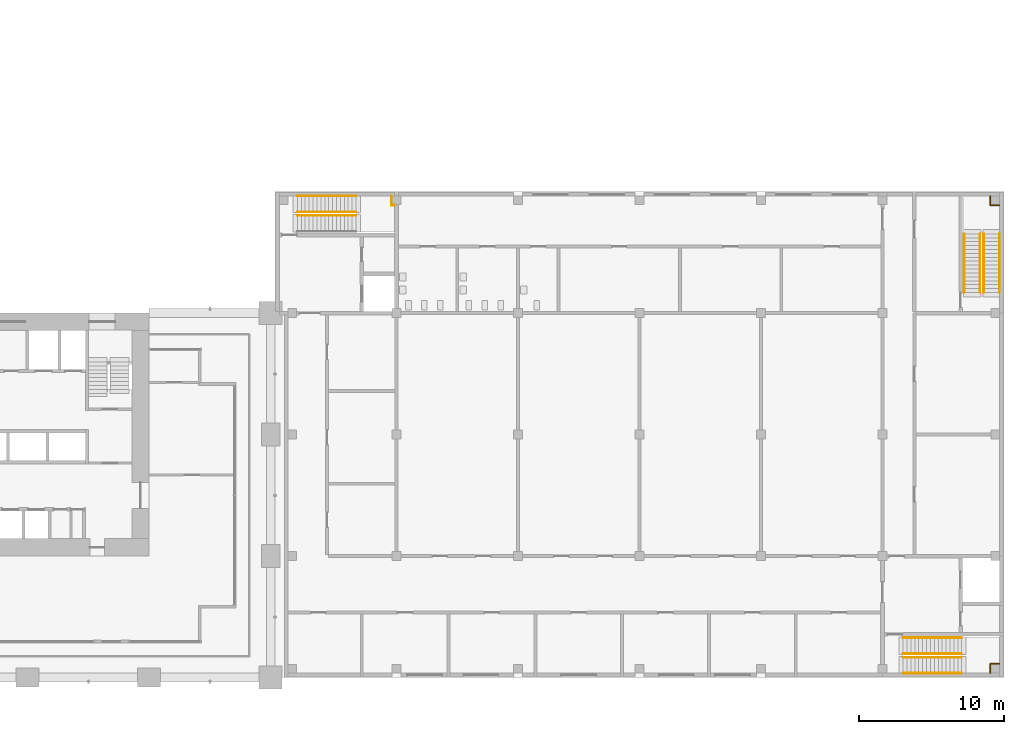
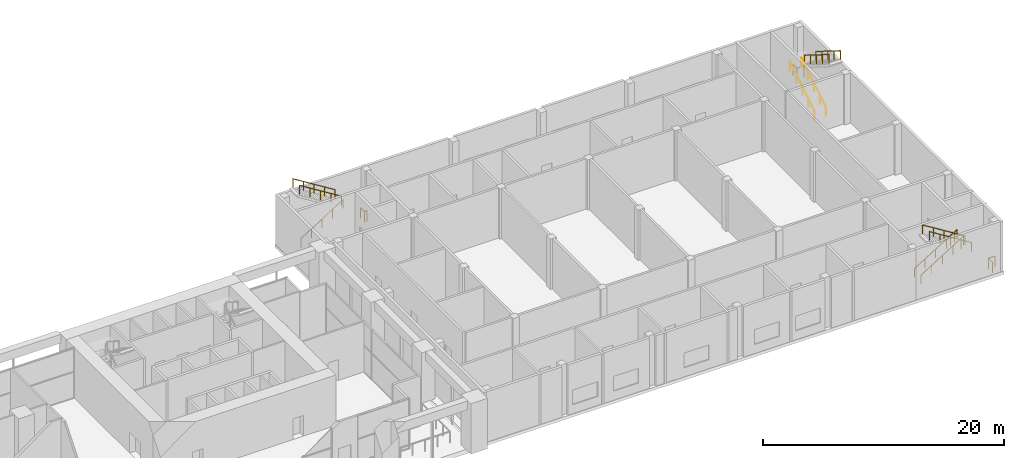
# One storey, part 32 of 33: 14 railings.
"""IFC4 building model written with IfcOpenShell, lengths in metres."""

from ifc_helpers import new_model, si_unit, direction, frame, origin, origin_2d, place, context, subcontext, project, spatial, circle, extrude, material, type_object, element, save


model = new_model("IFC4")

# Units and contexts
model_context = context("Model", 3, precision=1e-05, world=origin(), true_north=direction((0.0, 1.0)))
body_context = subcontext(model_context, "Body", "Model", "MODEL_VIEW")
ifc_project = project(units=[si_unit("LENGTHUNIT", "METRE"), si_unit("AREAUNIT", "SQUARE_METRE"), si_unit("VOLUMEUNIT", "CUBIC_METRE"), si_unit("PLANEANGLEUNIT", "RADIAN"), si_unit("MASSUNIT", "GRAM", prefix="KILO")], contexts=[model_context])

# Site, building, storey
site_placement = place(None, origin())
site = spatial("IfcSite", under=ifc_project, at=site_placement, CompositionType="ELEMENT")
building_placement = place(site_placement, origin())
building = spatial("IfcBuilding", under=site, at=building_placement, Name="Vermilion Gate Residences", CompositionType="ELEMENT")
storey_placement = place(building_placement, frame((0.0, 0.0, 14.39990234375)))
storey = spatial("IfcBuildingStorey", under=building, at=storey_placement, Name="L02", CompositionType="ELEMENT", Elevation=14.39990234375)

# Railings
ifc_material_1 = material(Name="Steel", Category="steel")
railing_type_1 = type_object("IfcRailingType", Name="STEEL GUARD 1100 (MARKET HALL)", PredefinedType="GUARDRAIL", material=ifc_material_1)
railing_1_placement = place(storey_placement, frame((75.77490234375, 32.64990234375, 0.0)))
element("IfcRailing", 1, at=railing_1_placement, inside=storey, type_object=railing_type_1, Name="Stair well end guard A L02", PredefinedType="GUARDRAIL", context=body_context, shape_type="SweptSolid", body=[
    extrude(circle(Radius=0.02490234375, at=origin_2d()), frame((0.0, 0.0, 1.0751953125), z_axis=(-1.0, 0.0, 0.0), x_axis=(0.0, -1.0, 0.0)), (0.0, 0.0, 1.0), 0.224853515625),
    extrude(circle(Radius=0.02490234375, at=origin_2d()), frame((-0.224853515625, 0.0, 1.0751953125), z_axis=(0.0, 1.0, 0.0), x_axis=(-1.0, 0.0, 0.0)), (0.0, 0.0, 1.0), 0.64990234375),
    extrude(circle(Radius=0.02001953125, at=origin_2d()), origin(), (0.0, 0.0, 1.0), 1.050048828125),
    extrude(circle(Radius=0.02001953125, at=origin_2d()), frame((-0.224853515625, 0.0, 0.0)), (0.0, 0.0, 1.0), 1.050048828125),
    extrude(circle(Radius=0.02001953125, at=origin_2d()), frame((-0.224853515625, 0.64990234375, 0.0)), (0.0, 0.0, 1.0), 1.050048828125),
])
railing_2_placement = place(storey_placement, frame((116.949951171875, 0.300048828125, 0.0)))
element("IfcRailing", 2, at=railing_2_placement, inside=storey, type_object=railing_type_1, Name="Stair well end guard B L02", PredefinedType="GUARDRAIL", context=body_context, shape_type="SweptSolid", body=[
    extrude(circle(Radius=0.02490234375, at=origin_2d()), frame((0.0, 0.0, 1.0751953125), z_axis=(0.0, 1.0, 0.0), x_axis=(-1.0, 0.0, 0.0)), (0.0, 0.0, 1.0), 0.64990234375),
    extrude(circle(Radius=0.02490234375, at=origin_2d()), frame((0.0, 0.64990234375, 1.0751953125), z_axis=(1.0, 0.0, 0.0), x_axis=(0.0, 1.0, 0.0)), (0.0, 0.0, 1.0), 0.64990234375),
    extrude(circle(Radius=0.02001953125, at=origin_2d()), origin(), (0.0, 0.0, 1.0), 1.050048828125),
    extrude(circle(Radius=0.02001953125, at=origin_2d()), frame((0.0, 0.64990234375, 0.0)), (0.0, 0.0, 1.0), 1.050048828125),
    extrude(circle(Radius=0.02001953125, at=origin_2d()), frame((0.64990234375, 0.64990234375, 0.0)), (0.0, 0.0, 1.0), 1.050048828125),
])
railing_3_placement = place(storey_placement, frame((117.599853515625, 32.64990234375, 0.0)))
element("IfcRailing", 3, at=railing_3_placement, inside=storey, type_object=railing_type_1, Name="Stair well end guard C L02", PredefinedType="GUARDRAIL", context=body_context, shape_type="SweptSolid", body=[
    extrude(circle(Radius=0.02490234375, at=origin_2d()), frame((0.0, 0.0, 1.0751953125), z_axis=(-1.0, 0.0, 0.0), x_axis=(0.0, -1.0, 0.0)), (0.0, 0.0, 1.0), 0.64990234375),
    extrude(circle(Radius=0.02490234375, at=origin_2d()), frame((-0.64990234375, 0.0, 1.0751953125), z_axis=(0.0, 1.0, 0.0), x_axis=(-1.0, 0.0, 0.0)), (0.0, 0.0, 1.0), 0.64990234375),
    extrude(circle(Radius=0.02001953125, at=origin_2d()), origin(), (0.0, 0.0, 1.0), 1.050048828125),
    extrude(circle(Radius=0.02001953125, at=origin_2d()), frame((-0.64990234375, 0.0, 0.0)), (0.0, 0.0, 1.0), 1.050048828125),
    extrude(circle(Radius=0.02001953125, at=origin_2d()), frame((-0.64990234375, 0.64990234375, 0.0)), (0.0, 0.0, 1.0), 1.050048828125),
])
ifc_material_2 = material(Name="Steel", Category="steel")
railing_type_2 = type_object("IfcRailingType", Name="STEEL HANDRAIL 900 (MARKET HALL)", PredefinedType="HANDRAIL", material=ifc_material_2)
railing_4_placement = place(storey_placement, frame((69.050048828125, 31.949951171875, 0.168701171875)))
element("IfcRailing", 4, at=railing_4_placement, inside=storey, type_object=railing_type_2, Name="Stair handrail STH1-02-1b", PredefinedType="HANDRAIL", context=body_context, shape_type="SweptSolid", body=[
    extrude(circle(Radius=0.0224609375, at=origin_2d()), frame((0.0, 0.0, 0.87744140625), z_axis=(0.847978201245, 0.0, 0.530031103063), x_axis=(0.0, 1.0, 0.0)), (0.0, 0.0, 1.0), 4.776123046875),
    extrude(circle(Radius=0.02001953125, at=origin_2d()), origin(), (0.0, 0.0, 1.0), 0.85498046875),
    extrude(circle(Radius=0.02001953125, at=origin_2d()), frame((1.012451171875, 0.0, 0.6328125)), (0.0, 0.0, 1.0), 0.85498046875),
    extrude(circle(Radius=0.02001953125, at=origin_2d()), frame((2.02490234375, 0.0, 1.265625)), (0.0, 0.0, 1.0), 0.85498046875),
    extrude(circle(Radius=0.02001953125, at=origin_2d()), frame((3.03759765625, 0.0, 1.898681640625)), (0.0, 0.0, 1.0), 0.85498046875),
    extrude(circle(Radius=0.02001953125, at=origin_2d()), frame((4.050048828125, 0.0, 2.531494140625)), (0.0, 0.0, 1.0), 0.85498046875),
])
for number, where, name in (
    (5, (73.10009765625, 32.199951171875, 2.868896484375), "Stair handrail STH1-02-2a"),
    (6, (73.10009765625, 33.300048828125, 2.868896484375), "Stair handrail STH1-02-2b"),
):
    element("IfcRailing", number, at=place(storey_placement, frame(where)), inside=storey, type_object=railing_type_2, Name=name, PredefinedType="HANDRAIL", context=body_context, shape_type="SweptSolid", body=[
        extrude(circle(Radius=0.0224609375, at=origin_2d()), frame((0.0, 0.0, 0.87744140625), z_axis=(-0.848001175806, 0.0, 0.529994345094), x_axis=(0.0, -1.0, 0.0)), (0.0, 0.0, 1.0), 4.77587890625),
        extrude(circle(Radius=0.02001953125, at=origin_2d()), origin(), (0.0, 0.0, 1.0), 0.85498046875),
        extrude(circle(Radius=0.02001953125, at=origin_2d()), frame((-1.012451171875, 0.0, 0.6328125)), (0.0, 0.0, 1.0), 0.85498046875),
        extrude(circle(Radius=0.02001953125, at=origin_2d()), frame((-2.02490234375, 0.0, 1.265625)), (0.0, 0.0, 1.0), 0.85498046875),
        extrude(circle(Radius=0.02001953125, at=origin_2d()), frame((-3.03759765625, 0.0, 1.8984375)), (0.0, 0.0, 1.0), 0.85498046875),
        extrude(circle(Radius=0.02001953125, at=origin_2d()), frame((-4.050048828125, 0.0, 2.53125)), (0.0, 0.0, 1.0), 0.85498046875),
    ])
for number, where, name in (
    (7, (110.925048828125, 2.75, 0.168701171875), "Stair handrail STH2-02-1a"),
    (8, (110.925048828125, 1.64990234375, 0.168701171875), "Stair handrail STH2-02-1b"),
):
    element("IfcRailing", number, at=place(storey_placement, frame(where)), inside=storey, type_object=railing_type_2, Name=name, PredefinedType="HANDRAIL", context=body_context, shape_type="SweptSolid", body=[
        extrude(circle(Radius=0.0224609375, at=origin_2d()), frame((0.0, 0.0, 0.87744140625), z_axis=(0.847978201245, 0.0, 0.530031103063), x_axis=(0.0, 1.0, 0.0)), (0.0, 0.0, 1.0), 4.776123046875),
        extrude(circle(Radius=0.02001953125, at=origin_2d()), origin(), (0.0, 0.0, 1.0), 0.85498046875),
        extrude(circle(Radius=0.02001953125, at=origin_2d()), frame((1.012451171875, 0.0, 0.6328125)), (0.0, 0.0, 1.0), 0.85498046875),
        extrude(circle(Radius=0.02001953125, at=origin_2d()), frame((2.02490234375, 0.0, 1.265625)), (0.0, 0.0, 1.0), 0.85498046875),
        extrude(circle(Radius=0.02001953125, at=origin_2d()), frame((3.03759765625, 0.0, 1.898681640625)), (0.0, 0.0, 1.0), 0.85498046875),
        extrude(circle(Radius=0.02001953125, at=origin_2d()), frame((4.050048828125, 0.0, 2.531494140625)), (0.0, 0.0, 1.0), 0.85498046875),
    ])
for number, where, name in (
    (9, (114.97509765625, 1.39990234375, 2.868896484375), "Stair handrail STH2-02-2a"),
    (10, (114.97509765625, 0.300048828125, 2.868896484375), "Stair handrail STH2-02-2b"),
):
    element("IfcRailing", number, at=place(storey_placement, frame(where)), inside=storey, type_object=railing_type_2, Name=name, PredefinedType="HANDRAIL", context=body_context, shape_type="SweptSolid", body=[
        extrude(circle(Radius=0.0224609375, at=origin_2d()), frame((0.0, 0.0, 0.87744140625), z_axis=(-0.848001175806, 0.0, 0.529994345094), x_axis=(0.0, -1.0, 0.0)), (0.0, 0.0, 1.0), 4.77587890625),
        extrude(circle(Radius=0.02001953125, at=origin_2d()), origin(), (0.0, 0.0, 1.0), 0.85498046875),
        extrude(circle(Radius=0.02001953125, at=origin_2d()), frame((-1.012451171875, 0.0, 0.6328125)), (0.0, 0.0, 1.0), 0.85498046875),
        extrude(circle(Radius=0.02001953125, at=origin_2d()), frame((-2.02490234375, 0.0, 1.265625)), (0.0, 0.0, 1.0), 0.85498046875),
        extrude(circle(Radius=0.02001953125, at=origin_2d()), frame((-3.03759765625, 0.0, 1.8984375)), (0.0, 0.0, 1.0), 0.85498046875),
        extrude(circle(Radius=0.02001953125, at=origin_2d()), frame((-4.050048828125, 0.0, 2.53125)), (0.0, 0.0, 1.0), 0.85498046875),
    ])
for number, where, name in (
    (11, (115.14990234375, 26.625, 0.168701171875), "Stair handrail STH3-02-1a"),
    (12, (116.25, 26.625, 0.168701171875), "Stair handrail STH3-02-1b"),
):
    element("IfcRailing", number, at=place(storey_placement, frame(where)), inside=storey, type_object=railing_type_2, Name=name, PredefinedType="HANDRAIL", context=body_context, shape_type="SweptSolid", body=[
        extrude(circle(Radius=0.0224609375, at=origin_2d()), frame((0.0, 0.0, 0.87744140625), z_axis=(0.0, 0.847978201245, 0.530031103063), x_axis=(-1.0, 0.0, 0.0)), (0.0, 0.0, 1.0), 4.776123046875),
        extrude(circle(Radius=0.02001953125, at=origin_2d()), origin(), (0.0, 0.0, 1.0), 0.85498046875),
        extrude(circle(Radius=0.02001953125, at=origin_2d()), frame((0.0, 1.012451171875, 0.6328125)), (0.0, 0.0, 1.0), 0.85498046875),
        extrude(circle(Radius=0.02001953125, at=origin_2d()), frame((0.0, 2.02490234375, 1.265625)), (0.0, 0.0, 1.0), 0.85498046875),
        extrude(circle(Radius=0.02001953125, at=origin_2d()), frame((0.0, 3.03759765625, 1.898681640625)), (0.0, 0.0, 1.0), 0.85498046875),
        extrude(circle(Radius=0.02001953125, at=origin_2d()), frame((0.0, 4.050048828125, 2.531494140625)), (0.0, 0.0, 1.0), 0.85498046875),
    ])
for number, where, name in (
    (13, (116.5, 30.675048828125, 2.868896484375), "Stair handrail STH3-02-2a"),
    (14, (117.60009765625, 30.675048828125, 2.868896484375), "Stair handrail STH3-02-2b"),
):
    element("IfcRailing", number, at=place(storey_placement, frame(where)), inside=storey, type_object=railing_type_2, Name=name, PredefinedType="HANDRAIL", context=body_context, shape_type="SweptSolid", body=[
        extrude(circle(Radius=0.0224609375, at=origin_2d()), frame((0.0, 0.0, 0.87744140625), z_axis=(0.0, -0.848001175806, 0.529994345094), x_axis=(1.0, 0.0, 0.0)), (0.0, 0.0, 1.0), 4.77587890625),
        extrude(circle(Radius=0.02001953125, at=origin_2d()), origin(), (0.0, 0.0, 1.0), 0.85498046875),
        extrude(circle(Radius=0.02001953125, at=origin_2d()), frame((0.0, -1.012451171875, 0.6328125)), (0.0, 0.0, 1.0), 0.85498046875),
        extrude(circle(Radius=0.02001953125, at=origin_2d()), frame((0.0, -2.02490234375, 1.265625)), (0.0, 0.0, 1.0), 0.85498046875),
        extrude(circle(Radius=0.02001953125, at=origin_2d()), frame((0.0, -3.03759765625, 1.8984375)), (0.0, 0.0, 1.0), 0.85498046875),
        extrude(circle(Radius=0.02001953125, at=origin_2d()), frame((0.0, -4.050048828125, 2.53125)), (0.0, 0.0, 1.0), 0.85498046875),
    ])

save(model, "model.ifc")
